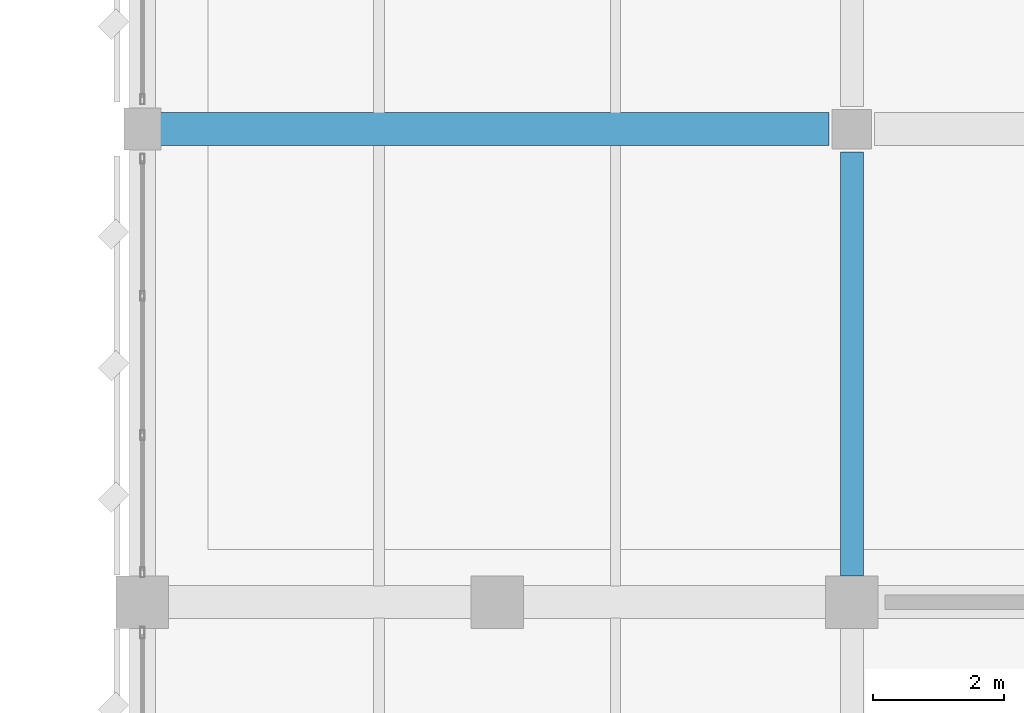
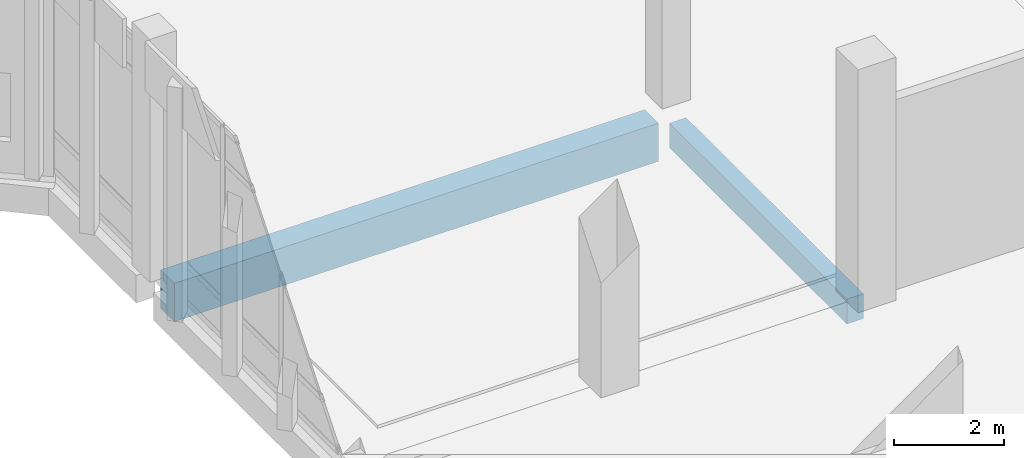
# One storey, part 22 of 180: 2 beams.
"""IFC4 building model written with IfcOpenShell, lengths in metres."""

from ifc_helpers import new_model, si_unit, direction, frame, origin, origin_2d, place, context, subcontext, project, spatial, rectangle, extrude, material, material_profile, profile_set, type_object, element, save


model = new_model("IFC4")

# Units and contexts
model_context = context("Model", 3, precision=1e-05, world=origin(), true_north=direction((0.0, 1.0)))
body_context = subcontext(model_context, "Body", "Model", "MODEL_VIEW")
ifc_project = project(units=[si_unit("LENGTHUNIT", "METRE"), si_unit("AREAUNIT", "SQUARE_METRE"), si_unit("VOLUMEUNIT", "CUBIC_METRE"), si_unit("PLANEANGLEUNIT", "RADIAN"), si_unit("MASSUNIT", "GRAM", prefix="KILO")], contexts=[model_context])

# Site, building, storey
site_placement = place(None, origin())
site = spatial("IfcSite", under=ifc_project, at=site_placement, CompositionType="ELEMENT")
building_placement = place(site_placement, origin())
building = spatial("IfcBuilding", under=site, at=building_placement, Name="Lusvemor Sports Hall", CompositionType="ELEMENT")
storey_placement = place(building_placement, frame((0.0, 0.0, 5.39990234375)))
storey = spatial("IfcBuildingStorey", under=building, at=storey_placement, Name="L01", CompositionType="ELEMENT", Elevation=5.39990234375)

# Beams
ifc_material_1 = material(Name="Concrete C40/50", Category="concrete")
ifc_material_profile_1 = material_profile(ifc_material_1, rectangle(XDim=0.35009765625, YDim=0.550048828125, at=origin_2d()), Name="RC350x550")
ifc_profile_set_1 = profile_set([ifc_material_profile_1], Name="Concrete C40/50")
beam_type_1 = type_object("IfcBeamType", Name="BEAM_RC_550", PredefinedType="BEAM", material=ifc_profile_set_1)
beam_1_placement = place(storey_placement, frame((10.800048828125, 47.196044921875, -0.534912109375), z_axis=(0.0, 1.0, 0.0), x_axis=(-1.0, 0.0, 0.0)))
element("IfcBeam", 1, at=beam_1_placement, inside=storey, type_object=beam_type_1, Name="Beam L01 2:F-G", PredefinedType="BEAM", context=body_context, shape_type="SweptSolid", body=[
    extrude(rectangle(XDim=0.35009765625, YDim=0.550048828125, at=origin_2d()), origin(), (0.0, 0.0, 1.0), 6.4580078125),
])
ifc_material_2 = material(Name="Concrete C40/50", Category="concrete")
ifc_material_profile_2 = material_profile(ifc_material_2, rectangle(XDim=0.5, YDim=0.85009765625, at=origin_2d()), Name="RC500x850")
ifc_profile_set_2 = profile_set([ifc_material_profile_2], Name="Concrete C40/50")
beam_type_2 = type_object("IfcBeamType", Name="GIRD_RC_850", PredefinedType="T_BEAM", material=ifc_profile_set_2)
beam_2_placement = place(storey_placement, frame((0.27587890625, 54.0, -0.684814453125), z_axis=(1.0, 0.0, 0.0), x_axis=(0.0, 1.0, 0.0)))
element("IfcBeam", 2, at=beam_2_placement, inside=storey, type_object=beam_type_2, Name="Beam L01 G:1-2", PredefinedType="T_BEAM", context=body_context, shape_type="SweptSolid", body=[
    extrude(rectangle(XDim=0.5, YDim=0.85009765625, at=origin_2d()), origin(), (0.0, 0.0, 1.0), 10.17822265625),
])

save(model, "model.ifc")
